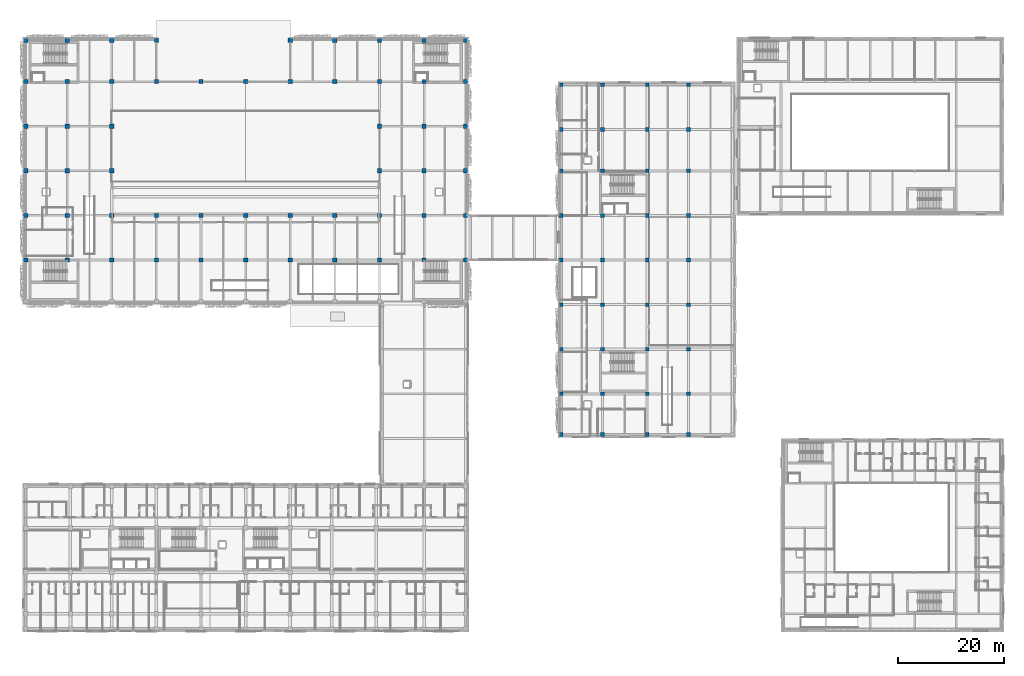
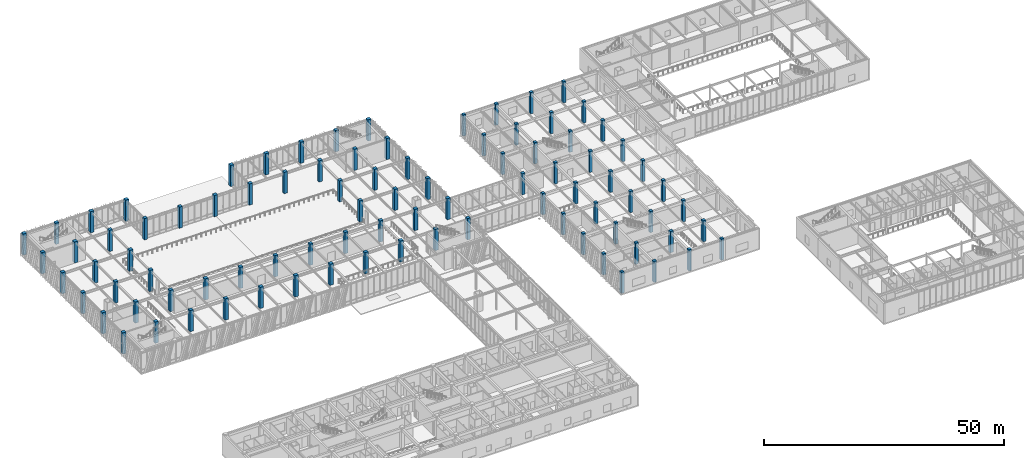
# One storey, part 3 of 139: 90 columns.
"""IFC4 building model written with IfcOpenShell, lengths in metres."""

from ifc_helpers import new_model, si_unit, direction, frame, origin, origin_2d, place, context, subcontext, project, spatial, rectangle, extrude, material, material_profile, profile_set, type_object, element, save


model = new_model("IFC4")

# Units and contexts
model_context = context("Model", 3, precision=1e-05, world=origin(), true_north=direction((0.0, 1.0)))
body_context = subcontext(model_context, "Body", "Model", "MODEL_VIEW")
ifc_project = project(units=[si_unit("LENGTHUNIT", "METRE"), si_unit("AREAUNIT", "SQUARE_METRE"), si_unit("VOLUMEUNIT", "CUBIC_METRE"), si_unit("PLANEANGLEUNIT", "RADIAN"), si_unit("MASSUNIT", "GRAM", prefix="KILO")], contexts=[model_context])

# Site, building, storey
site_placement = place(None, origin())
site = spatial("IfcSite", under=ifc_project, at=site_placement, CompositionType="ELEMENT")
building_placement = place(site_placement, origin())
building = spatial("IfcBuilding", under=site, at=building_placement, Name="Zayran Congress Hotel", CompositionType="ELEMENT")
storey_placement = place(building_placement, frame((0.0, 0.0, 5.39990234375)))
storey = spatial("IfcBuildingStorey", under=building, at=storey_placement, Name="L01", CompositionType="ELEMENT", Elevation=5.39990234375)

# Columns
ifc_material = material(Name="Concrete C40/50", Category="concrete")
ifc_material_profile_1 = material_profile(ifc_material, rectangle(XDim=0.800048828125, YDim=0.800048828125, at=origin_2d()), Name="RC 800x800")
ifc_profile_set_1 = profile_set([ifc_material_profile_1], Name="Concrete C40/50")
column_type_1 = type_object("IfcColumnType", Name="TP-CL-02", PredefinedType="COLUMN", material=ifc_profile_set_1)
for number, where, z_axis, x_axis, name in (
    (1, (9.0, 76.0, 0.0), (0.0, 0.0, 1.0), (1.0, 0.0, 0.0), "COL-V1-L01-0321"),
    (2, (9.0, 84.39990234375, 0.0), (0.0, 0.0, 1.0), (1.0, 0.0, 0.0), "COL-V1-L01-0322"),
    (3, (9.0, 92.800048828125, 0.0), (0.0, 0.0, 1.0), (1.0, 0.0, 0.0), "COL-V1-L01-0323"),
    (4, (9.0, 101.199951171875, 0.0), (0.0, 0.0, 1.0), (1.0, 0.0, 0.0), "COL-V1-L01-0324"),
    (5, (9.0, 109.60009765625, 0.0), (0.0, 0.0, 1.0), (1.0, 0.0, 0.0), "COL-V1-L01-0325"),
    (6, (9.0, 117.39990234375, 0.0), (0.0, 0.0, 1.0), (1.0, 0.0, 0.0), "COL-V1-L01-0326"),
    (7, (16.800048828125, 76.0, 0.0), (0.0, 0.0, 1.0), (1.0, 0.0, 0.0), "COL-V1-L01-0328"),
    (8, (16.800048828125, 84.39990234375, 0.0), (0.0, 0.0, 1.0), (1.0, 0.0, 0.0), "COL-V1-L01-0329"),
    (9, (16.800048828125, 92.800048828125, 0.0), (0.0, 0.0, 1.0), (1.0, 0.0, 0.0), "COL-V1-L01-0330"),
    (10, (16.800048828125, 101.199951171875, 0.0), (0.0, 0.0, 1.0), (1.0, 0.0, 0.0), "COL-V1-L01-0331"),
    (11, (16.800048828125, 109.60009765625, 0.0), (0.0, 0.0, 1.0), (1.0, 0.0, 0.0), "COL-V1-L01-0332"),
    (12, (16.800048828125, 117.39990234375, 0.0), (0.0, 0.0, 1.0), (1.0, 0.0, 0.0), "COL-V1-L01-0333"),
    (13, (25.199951171875, 76.0, 0.0), (0.0, 0.0, 1.0), (1.0, 0.0, 0.0), "COL-V1-L01-0335"),
    (14, (25.199951171875, 84.39990234375, 0.0), (0.0, 0.0, 1.0), (1.0, 0.0, 0.0), "COL-V1-L01-0336"),
    (15, (25.199951171875, 92.800048828125, 0.0), (0.0, 0.0, 1.0), (1.0, 0.0, 0.0), "COL-V1-L01-0337"),
    (16, (25.199951171875, 101.199951171875, 0.0), (0.0, 0.0, 1.0), (1.0, 0.0, 0.0), "COL-V1-L01-0338"),
    (17, (25.199951171875, 109.60009765625, 0.0), (0.0, 0.0, 1.0), (1.0, 0.0, 0.0), "COL-V1-L01-0339"),
    (18, (25.199951171875, 117.39990234375, 0.0), (0.0, 0.0, 1.0), (1.0, 0.0, 0.0), "COL-V1-L01-0340"),
    (19, (33.60009765625, 76.0, 0.0), (0.0, 0.0, 1.0), (1.0, 0.0, 0.0), "COL-V1-L01-0342"),
    (20, (33.60009765625, 84.39990234375, 0.0), (0.0, 0.0, 1.0), (1.0, 0.0, 0.0), "COL-V1-L01-0343"),
    (21, (33.60009765625, 109.60009765625, 0.0), (0.0, 0.0, 1.0), (1.0, 0.0, 0.0), "COL-V1-L01-0344"),
    (22, (33.60009765625, 117.39990234375, 0.0), (0.0, 0.0, 1.0), (1.0, 0.0, 0.0), "COL-V1-L01-0345"),
    (23, (42.0, 76.0, 0.0), (0.0, 0.0, 1.0), (1.0, 0.0, 0.0), "COL-V1-L01-0347"),
    (24, (42.0, 84.39990234375, 0.0), (0.0, 0.0, 1.0), (1.0, 0.0, 0.0), "COL-V1-L01-0348"),
    (25, (42.0, 109.60009765625, 0.0), (0.0, 0.0, 1.0), (1.0, 0.0, 0.0), "COL-V1-L01-0349"),
    (26, (50.39990234375, 76.0, 0.0), (0.0, 0.0, 1.0), (1.0, 0.0, 0.0), "COL-V1-L01-0352"),
    (27, (50.39990234375, 84.39990234375, 0.0), (0.0, 0.0, 1.0), (1.0, 0.0, 0.0), "COL-V1-L01-0353"),
    (28, (50.39990234375, 109.60009765625, 0.0), (0.0, 0.0, 1.0), (1.0, 0.0, 0.0), "COL-V1-L01-0354"),
    (29, (58.800048828125, 76.0, 0.0), (0.0, 0.0, 1.0), (1.0, 0.0, 0.0), "COL-V1-L01-0357"),
    (30, (58.800048828125, 84.39990234375, 0.0), (0.0, 0.0, 1.0), (1.0, 0.0, 0.0), "COL-V1-L01-0358"),
    (31, (58.800048828125, 109.60009765625, 0.0), (0.0, 0.0, 1.0), (1.0, 0.0, 0.0), "COL-V1-L01-0359"),
    (32, (58.800048828125, 117.39990234375, 0.0), (0.0, 0.0, 1.0), (1.0, 0.0, 0.0), "COL-V1-L01-0360"),
    (33, (67.199951171875, 76.0, 0.0), (0.0, 0.0, 1.0), (1.0, 0.0, 0.0), "COL-V1-L01-0362"),
    (34, (67.199951171875, 84.39990234375, 0.0), (0.0, 0.0, 1.0), (1.0, 0.0, 0.0), "COL-V1-L01-0363"),
    (35, (67.199951171875, 109.60009765625, 0.0), (0.0, 0.0, 1.0), (1.0, 0.0, 0.0), "COL-V1-L01-0364"),
    (36, (67.199951171875, 117.39990234375, 0.0), (0.0, 0.0, 1.0), (1.0, 0.0, 0.0), "COL-V1-L01-0365"),
    (37, (75.60009765625, 76.0, 0.0), (0.0, 0.0, 1.0), (1.0, 0.0, 0.0), "COL-V1-L01-0367"),
    (38, (75.60009765625, 84.39990234375, 0.0), (0.0, 0.0, 1.0), (1.0, 0.0, 0.0), "COL-V1-L01-0368"),
    (39, (75.60009765625, 92.800048828125, 0.0), (0.0, 0.0, 1.0), (1.0, 0.0, 0.0), "COL-V1-L01-0369"),
    (40, (75.60009765625, 101.199951171875, 0.0), (0.0, 0.0, 1.0), (1.0, 0.0, 0.0), "COL-V1-L01-0370"),
    (41, (75.60009765625, 109.60009765625, 0.0), (0.0, 0.0, 1.0), (1.0, 0.0, 0.0), "COL-V1-L01-0371"),
    (42, (75.60009765625, 117.39990234375, 0.0), (0.0, 0.0, 1.0), (1.0, 0.0, 0.0), "COL-V1-L01-0372"),
    (43, (84.0, 76.0, 0.0), (0.0, 0.0, 1.0), (1.0, 0.0, 0.0), "COL-V1-L01-0374"),
    (44, (84.0, 84.39990234375, 0.0), (0.0, 0.0, 1.0), (1.0, 0.0, 0.0), "COL-V1-L01-0375"),
    (45, (84.0, 92.800048828125, 0.0), (0.0, 0.0, 1.0), (1.0, 0.0, 0.0), "COL-V1-L01-0376"),
    (46, (84.0, 101.199951171875, 0.0), (0.0, 0.0, 1.0), (1.0, 0.0, 0.0), "COL-V1-L01-0377"),
    (47, (84.0, 109.60009765625, 0.0), (0.0, 0.0, 1.0), (1.0, 0.0, 0.0), "COL-V1-L01-0378"),
    (48, (84.0, 117.39990234375, 0.0), (0.0, 0.0, 1.0), (1.0, 0.0, 0.0), "COL-V1-L01-0379"),
    (49, (91.800048828125, 76.0, 0.0), (0.0, 0.0, 1.0), (1.0, 0.0, 0.0), "COL-V1-L01-0381"),
    (50, (91.800048828125, 84.39990234375, 0.0), (0.0, 0.0, 1.0), (1.0, 0.0, 0.0), "COL-V1-L01-0382"),
    (51, (91.800048828125, 92.800048828125, 0.0), (0.0, 0.0, 1.0), (1.0, 0.0, 0.0), "COL-V1-L01-0383"),
    (52, (91.800048828125, 101.199951171875, 0.0), (0.0, 0.0, 1.0), (1.0, 0.0, 0.0), "COL-V1-L01-0384"),
    (53, (91.800048828125, 109.60009765625, 0.0), (0.0, 0.0, 1.0), (1.0, 0.0, 0.0), "COL-V1-L01-0385"),
    (54, (91.800048828125, 117.39990234375, 0.0), (0.0, 0.0, 1.0), (1.0, 0.0, 0.0), "COL-V1-L01-0386"),
):
    element("IfcColumn", number, at=place(storey_placement, frame(where, z_axis=z_axis, x_axis=x_axis)), inside=storey, type_object=column_type_1, Name=name, PredefinedType="COLUMN", context=body_context, shape_type="SweptSolid", body=[
        extrude(rectangle(XDim=0.800048828125, YDim=0.800048828125, at=origin_2d()), origin(), (0.0, 0.0, 1.0), 5.400146484375),
    ])
ifc_material_profile_2 = material_profile(ifc_material, rectangle(XDim=0.699951171875, YDim=0.699951171875, at=origin_2d()), Name="RC 700x700")
ifc_profile_set_2 = profile_set([ifc_material_profile_2], Name="Concrete C40/50")
column_type_2 = type_object("IfcColumnType", Name="TP-CL-03", PredefinedType="COLUMN", material=ifc_profile_set_2)
for number, where, z_axis, x_axis, name in (
    (55, (109.800048828125, 43.14990234375, 0.0), (0.0, 0.0, 1.0), (1.0, 0.0, 0.0), "COL-V4-L01-0748"),
    (56, (109.800048828125, 50.800048828125, 0.0), (0.0, 0.0, 1.0), (1.0, 0.0, 0.0), "COL-V4-L01-0749"),
    (57, (109.800048828125, 59.199951171875, 0.0), (0.0, 0.0, 1.0), (1.0, 0.0, 0.0), "COL-V4-L01-0750"),
    (58, (109.800048828125, 67.60009765625, 0.0), (0.0, 0.0, 1.0), (1.0, 0.0, 0.0), "COL-V4-L01-0751"),
    (59, (109.800048828125, 76.0, 0.0), (0.0, 0.0, 1.0), (1.0, 0.0, 0.0), "COL-V4-L01-0752"),
    (60, (109.800048828125, 84.39990234375, 0.0), (0.0, 0.0, 1.0), (1.0, 0.0, 0.0), "COL-V4-L01-0753"),
    (61, (109.800048828125, 92.800048828125, 0.0), (0.0, 0.0, 1.0), (1.0, 0.0, 0.0), "COL-V4-L01-0754"),
    (62, (109.800048828125, 100.60009765625, 0.0), (0.0, 0.0, 1.0), (1.0, 0.0, 0.0), "COL-V4-L01-0755"),
    (63, (109.800048828125, 109.0, 0.0), (0.0, 0.0, 1.0), (1.0, 0.0, 0.0), "COL-V4-L01-0756"),
    (64, (117.60009765625, 43.14990234375, 0.0), (0.0, 0.0, 1.0), (1.0, 0.0, 0.0), "COL-V4-L01-0757"),
    (65, (117.60009765625, 50.800048828125, 0.0), (0.0, 0.0, 1.0), (1.0, 0.0, 0.0), "COL-V4-L01-0758"),
    (66, (117.60009765625, 59.199951171875, 0.0), (0.0, 0.0, 1.0), (1.0, 0.0, 0.0), "COL-V4-L01-0759"),
    (67, (117.60009765625, 67.60009765625, 0.0), (0.0, 0.0, 1.0), (1.0, 0.0, 0.0), "COL-V4-L01-0760"),
    (68, (117.60009765625, 76.0, 0.0), (0.0, 0.0, 1.0), (1.0, 0.0, 0.0), "COL-V4-L01-0761"),
    (69, (117.60009765625, 84.39990234375, 0.0), (0.0, 0.0, 1.0), (1.0, 0.0, 0.0), "COL-V4-L01-0762"),
    (70, (117.60009765625, 92.800048828125, 0.0), (0.0, 0.0, 1.0), (1.0, 0.0, 0.0), "COL-V4-L01-0763"),
    (71, (117.60009765625, 100.60009765625, 0.0), (0.0, 0.0, 1.0), (1.0, 0.0, 0.0), "COL-V4-L01-0764"),
    (72, (117.60009765625, 109.0, 0.0), (0.0, 0.0, 1.0), (1.0, 0.0, 0.0), "COL-V4-L01-0765"),
    (73, (126.0, 43.14990234375, 0.0), (0.0, 0.0, 1.0), (1.0, 0.0, 0.0), "COL-V4-L01-0766"),
    (74, (126.0, 50.800048828125, 0.0), (0.0, 0.0, 1.0), (1.0, 0.0, 0.0), "COL-V4-L01-0767"),
    (75, (126.0, 59.199951171875, 0.0), (0.0, 0.0, 1.0), (1.0, 0.0, 0.0), "COL-V4-L01-0768"),
    (76, (126.0, 67.60009765625, 0.0), (0.0, 0.0, 1.0), (1.0, 0.0, 0.0), "COL-V4-L01-0769"),
    (77, (126.0, 76.0, 0.0), (0.0, 0.0, 1.0), (1.0, 0.0, 0.0), "COL-V4-L01-0770"),
    (78, (126.0, 84.39990234375, 0.0), (0.0, 0.0, 1.0), (1.0, 0.0, 0.0), "COL-V4-L01-0771"),
    (79, (126.0, 92.800048828125, 0.0), (0.0, 0.0, 1.0), (1.0, 0.0, 0.0), "COL-V4-L01-0772"),
    (80, (126.0, 100.60009765625, 0.0), (0.0, 0.0, 1.0), (1.0, 0.0, 0.0), "COL-V4-L01-0773"),
    (81, (126.0, 109.0, 0.0), (0.0, 0.0, 1.0), (1.0, 0.0, 0.0), "COL-V4-L01-0774"),
    (82, (133.800048828125, 43.14990234375, 0.0), (0.0, 0.0, 1.0), (1.0, 0.0, 0.0), "COL-V4-L01-0775"),
    (83, (133.800048828125, 50.800048828125, 0.0), (0.0, 0.0, 1.0), (1.0, 0.0, 0.0), "COL-V4-L01-0776"),
    (84, (133.800048828125, 59.199951171875, 0.0), (0.0, 0.0, 1.0), (1.0, 0.0, 0.0), "COL-V4-L01-0777"),
    (85, (133.800048828125, 67.60009765625, 0.0), (0.0, 0.0, 1.0), (1.0, 0.0, 0.0), "COL-V4-L01-0778"),
    (86, (133.800048828125, 76.0, 0.0), (0.0, 0.0, 1.0), (1.0, 0.0, 0.0), "COL-V4-L01-0779"),
    (87, (133.800048828125, 84.39990234375, 0.0), (0.0, 0.0, 1.0), (1.0, 0.0, 0.0), "COL-V4-L01-0780"),
    (88, (133.800048828125, 92.800048828125, 0.0), (0.0, 0.0, 1.0), (1.0, 0.0, 0.0), "COL-V4-L01-0781"),
    (89, (133.800048828125, 100.60009765625, 0.0), (0.0, 0.0, 1.0), (1.0, 0.0, 0.0), "COL-V4-L01-0782"),
    (90, (133.800048828125, 109.0, 0.0), (0.0, 0.0, 1.0), (1.0, 0.0, 0.0), "COL-V4-L01-0783"),
):
    element("IfcColumn", number, at=place(storey_placement, frame(where, z_axis=z_axis, x_axis=x_axis)), inside=storey, type_object=column_type_2, Name=name, PredefinedType="COLUMN", context=body_context, shape_type="SweptSolid", body=[
        extrude(rectangle(XDim=0.699951171875, YDim=0.699951171875, at=origin_2d()), origin(), (0.0, 0.0, 1.0), 5.400146484375),
    ])

save(model, "model.ifc")
